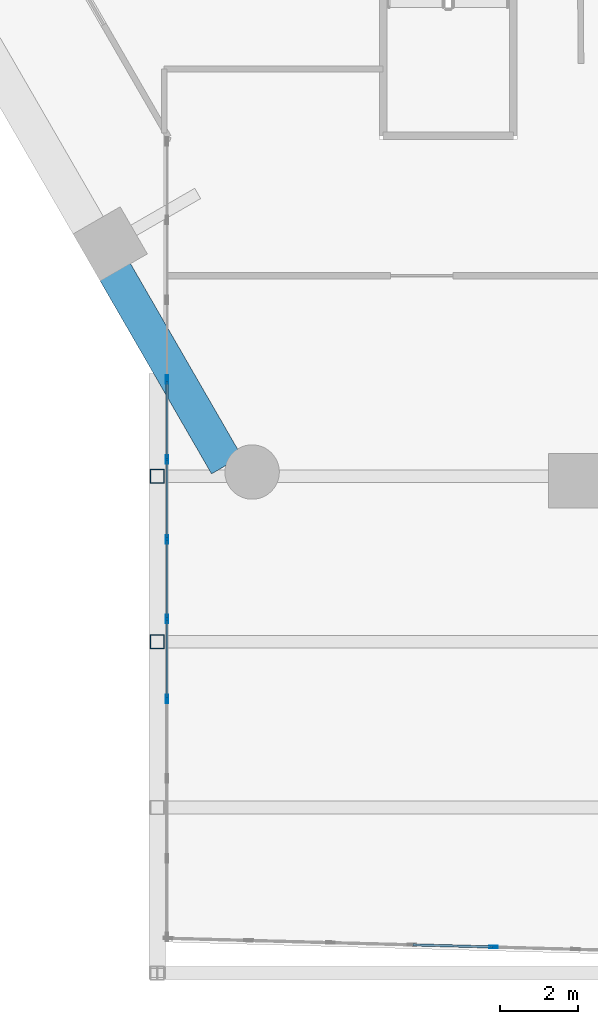
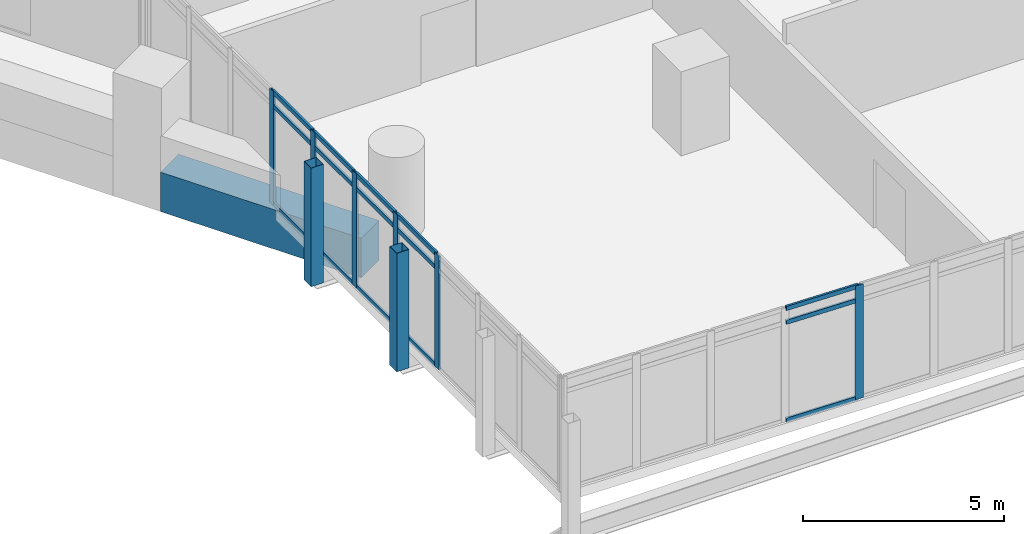
# One storey, part 4 of 38: 23 members, 1 beam, 2 elements without a shape of their own.
"""IFC4 building model written with IfcOpenShell, lengths in metres."""

from ifc_helpers import new_model, si_unit, direction, frame, origin, origin_2d, place, context, subcontext, project, spatial, rectangle, hollow_rectangle, extrude, material, material_profile, profile_set, type_object, element, aggregate, save


model = new_model("IFC4")

# Units and contexts
model_context = context("Model", 3, precision=1e-05, world=origin(), true_north=direction((0.0, 1.0)))
body_context = subcontext(model_context, "Body", "Model", "MODEL_VIEW")
ifc_project = project(units=[si_unit("LENGTHUNIT", "METRE"), si_unit("AREAUNIT", "SQUARE_METRE"), si_unit("VOLUMEUNIT", "CUBIC_METRE"), si_unit("PLANEANGLEUNIT", "RADIAN"), si_unit("MASSUNIT", "GRAM", prefix="KILO")], contexts=[model_context])

# Site, building, storey
site_placement = place(None, origin())
site = spatial("IfcSite", under=ifc_project, at=site_placement, CompositionType="ELEMENT")
building_placement = place(site_placement, origin())
building = spatial("IfcBuilding", under=site, at=building_placement, Name="Ostrander Bayou Hotel Tower", CompositionType="ELEMENT")
storey_placement = place(building_placement, frame((0.0, 0.0, 65.5)))
storey = spatial("IfcBuildingStorey", under=building, at=storey_placement, Name="L16", CompositionType="ELEMENT", Elevation=65.5)

# Curtain wall, members
ifc_material_1 = material(Name="Aluminium and clear glass", Category="aluminium")
curtain_wall_type = type_object("IfcCurtainWallType", Name="CW-BAR glazed wall", PredefinedType="NOTDEFINED", material=ifc_material_1)
curtain_wall_1_placement = place(storey_placement, origin())
curtain_wall_1 = element("IfcCurtainWall", 1, at=curtain_wall_1_placement, inside=storey, type_object=curtain_wall_type, Name="CW-BAR L16:SB1S:E", PredefinedType="NOTDEFINED")
ifc_material_2 = material(Name="Aluminium", Category="aluminium")
ifc_material_profile_1 = material_profile(ifc_material_2, hollow_rectangle(XDim=0.06005859375, YDim=0.219970703125, WallThickness=0.00390625, at=origin_2d()))
ifc_profile_set_1 = profile_set([ifc_material_profile_1], Name="Aluminium")
member_type_1 = type_object("IfcMemberType", Name="CW-BR mullion 60 x 220 mm", PredefinedType="MULLION", material=ifc_profile_set_1)
member_1_placement = place(storey_placement, frame((-14.712158203125, -17.677978515625, 0.0), z_axis=(0.0, 0.0, 1.0), x_axis=(1.0, 0.0, 0.0)))
member_1 = element("IfcMember", 2, at=member_1_placement, type_object=member_type_1, Name="CW-BAR mullion 4", PredefinedType="MULLION", context=body_context, shape_type="SweptSolid", body=[
    extrude(hollow_rectangle(XDim=0.06005859375, YDim=0.219970703125, WallThickness=0.00390625, at=origin_2d()), origin(), (0.0, 0.0, 1.0), 3.449951171875),
])
member_2_placement = place(storey_placement, frame((-14.712158203125, -19.7314453125, 0.0), z_axis=(0.0, 0.0, 1.0), x_axis=(1.0, 0.0, 0.0)))
member_2 = element("IfcMember", 3, at=member_2_placement, type_object=member_type_1, Name="CW-BAR mullion 5", PredefinedType="MULLION", context=body_context, shape_type="SweptSolid", body=[
    extrude(hollow_rectangle(XDim=0.06005859375, YDim=0.219970703125, WallThickness=0.00390625, at=origin_2d()), origin(), (0.0, 0.0, 1.0), 3.449951171875),
])
member_3_placement = place(storey_placement, frame((-14.712158203125, -21.784912109375, 0.0), z_axis=(0.0, 0.0, 1.0), x_axis=(1.0, 0.0, 0.0)))
member_3 = element("IfcMember", 4, at=member_3_placement, type_object=member_type_1, Name="CW-BAR mullion 6", PredefinedType="MULLION", context=body_context, shape_type="SweptSolid", body=[
    extrude(hollow_rectangle(XDim=0.06005859375, YDim=0.219970703125, WallThickness=0.00390625, at=origin_2d()), origin(), (0.0, 0.0, 1.0), 3.449951171875),
])
member_4_placement = place(storey_placement, frame((-14.712158203125, -23.83837890625, 0.0), z_axis=(0.0, 0.0, 1.0), x_axis=(1.0, 0.0, 0.0)))
member_4 = element("IfcMember", 5, at=member_4_placement, type_object=member_type_1, Name="CW-BAR mullion 7", PredefinedType="MULLION", context=body_context, shape_type="SweptSolid", body=[
    extrude(hollow_rectangle(XDim=0.06005859375, YDim=0.219970703125, WallThickness=0.00390625, at=origin_2d()), origin(), (0.0, 0.0, 1.0), 3.449951171875),
])
member_5_placement = place(storey_placement, frame((-14.712158203125, -25.8916015625, 0.0), z_axis=(0.0, 0.0, 1.0), x_axis=(1.0, 0.0, 0.0)))
member_5 = element("IfcMember", 6, at=member_5_placement, type_object=member_type_1, Name="CW-BAR mullion 8", PredefinedType="MULLION", context=body_context, shape_type="SweptSolid", body=[
    extrude(hollow_rectangle(XDim=0.06005859375, YDim=0.219970703125, WallThickness=0.00390625, at=origin_2d()), origin(), (0.0, 0.0, 1.0), 3.449951171875),
])

# Curtain wall, member
curtain_wall_2_placement = place(storey_placement, origin())
curtain_wall_2 = element("IfcCurtainWall", 7, at=curtain_wall_2_placement, inside=storey, type_object=curtain_wall_type, Name="CW-BAR L16:SB1S:T", PredefinedType="NOTDEFINED")
member_6_placement = place(storey_placement, frame((-6.30517578125, -32.279541015625, 0.0), z_axis=(0.0, 0.0, 1.0), x_axis=(0.027042484848, 0.999634285133, 0.0)))
member_6 = element("IfcMember", 8, at=member_6_placement, type_object=member_type_1, Name="CW-BAR mullion 5", PredefinedType="MULLION", context=body_context, shape_type="SweptSolid", body=[
    extrude(hollow_rectangle(XDim=0.06005859375, YDim=0.219970703125, WallThickness=0.00390625, at=origin_2d()), origin(), (0.0, 0.0, 1.0), 3.449951171875),
])

# Member
ifc_material_3 = material(Name="Aluminium", Category="aluminium")
ifc_material_profile_2 = material_profile(ifc_material_3, hollow_rectangle(XDim=0.06005859375, YDim=0.1298828125, WallThickness=0.00390625, at=origin_2d()))
ifc_profile_set_2 = profile_set([ifc_material_profile_2], Name="Aluminium")
member_type_2 = type_object("IfcMemberType", Name="CW-BR transom 60 x 130 mm", PredefinedType="USERDEFINED", material=ifc_profile_set_2)
member_7_placement = place(storey_placement, frame((-14.712158203125, -17.7080078125, 0.030029296875), z_axis=(0.0, -1.0, 0.0), x_axis=(1.0, 0.0, 0.0)))
member_7 = element("IfcMember", 9, at=member_7_placement, type_object=member_type_2, Name="CW-BAR transom 4.1", ObjectType="TRANSOM", PredefinedType="USERDEFINED", context=body_context, shape_type="SweptSolid", body=[
    extrude(hollow_rectangle(XDim=0.06005859375, YDim=0.1298828125, WallThickness=0.00390625, at=origin_2d()), origin(), (0.0, 0.0, 1.0), 1.993408203125),
])

member_8_placement = place(storey_placement, frame((-14.712158203125, -17.7080078125, 3.0), z_axis=(0.0, -1.0, 0.0), x_axis=(1.0, 0.0, 0.0)))
member_8 = element("IfcMember", 10, at=member_8_placement, type_object=member_type_2, Name="CW-BAR transom 4.2", ObjectType="TRANSOM", PredefinedType="USERDEFINED", context=body_context, shape_type="SweptSolid", body=[
    extrude(hollow_rectangle(XDim=0.06005859375, YDim=0.1298828125, WallThickness=0.00390625, at=origin_2d()), origin(), (0.0, 0.0, 1.0), 1.993408203125),
])

member_9_placement = place(storey_placement, frame((-14.712158203125, -17.7080078125, 3.419921875), z_axis=(0.0, -1.0, 0.0), x_axis=(1.0, 0.0, 0.0)))
member_9 = element("IfcMember", 11, at=member_9_placement, type_object=member_type_2, Name="CW-BAR transom 4.3", ObjectType="TRANSOM", PredefinedType="USERDEFINED", context=body_context, shape_type="SweptSolid", body=[
    extrude(hollow_rectangle(XDim=0.06005859375, YDim=0.1298828125, WallThickness=0.00390625, at=origin_2d()), origin(), (0.0, 0.0, 1.0), 1.993408203125),
])

member_10_placement = place(storey_placement, frame((-14.712158203125, -19.761474609375, 0.030029296875), z_axis=(0.0, -1.0, 0.0), x_axis=(1.0, 0.0, 0.0)))
member_10 = element("IfcMember", 12, at=member_10_placement, type_object=member_type_2, Name="CW-BAR transom 5.1", ObjectType="TRANSOM", PredefinedType="USERDEFINED", context=body_context, shape_type="SweptSolid", body=[
    extrude(hollow_rectangle(XDim=0.06005859375, YDim=0.1298828125, WallThickness=0.00390625, at=origin_2d()), origin(), (0.0, 0.0, 1.0), 1.993408203125),
])

member_11_placement = place(storey_placement, frame((-14.712158203125, -19.761474609375, 3.0), z_axis=(0.0, -1.0, 0.0), x_axis=(1.0, 0.0, 0.0)))
member_11 = element("IfcMember", 13, at=member_11_placement, type_object=member_type_2, Name="CW-BAR transom 5.2", ObjectType="TRANSOM", PredefinedType="USERDEFINED", context=body_context, shape_type="SweptSolid", body=[
    extrude(hollow_rectangle(XDim=0.06005859375, YDim=0.1298828125, WallThickness=0.00390625, at=origin_2d()), origin(), (0.0, 0.0, 1.0), 1.993408203125),
])

member_12_placement = place(storey_placement, frame((-14.712158203125, -19.761474609375, 3.419921875), z_axis=(0.0, -1.0, 0.0), x_axis=(1.0, 0.0, 0.0)))
member_12 = element("IfcMember", 14, at=member_12_placement, type_object=member_type_2, Name="CW-BAR transom 5.3", ObjectType="TRANSOM", PredefinedType="USERDEFINED", context=body_context, shape_type="SweptSolid", body=[
    extrude(hollow_rectangle(XDim=0.06005859375, YDim=0.1298828125, WallThickness=0.00390625, at=origin_2d()), origin(), (0.0, 0.0, 1.0), 1.993408203125),
])

member_13_placement = place(storey_placement, frame((-14.712158203125, -21.81494140625, 0.030029296875), z_axis=(0.0, -1.0, 0.0), x_axis=(1.0, 0.0, 0.0)))
member_13 = element("IfcMember", 15, at=member_13_placement, type_object=member_type_2, Name="CW-BAR transom 6.1", ObjectType="TRANSOM", PredefinedType="USERDEFINED", context=body_context, shape_type="SweptSolid", body=[
    extrude(hollow_rectangle(XDim=0.06005859375, YDim=0.1298828125, WallThickness=0.00390625, at=origin_2d()), origin(), (0.0, 0.0, 1.0), 1.993408203125),
])

member_14_placement = place(storey_placement, frame((-14.712158203125, -21.81494140625, 3.0), z_axis=(0.0, -1.0, 0.0), x_axis=(1.0, 0.0, 0.0)))
member_14 = element("IfcMember", 16, at=member_14_placement, type_object=member_type_2, Name="CW-BAR transom 6.2", ObjectType="TRANSOM", PredefinedType="USERDEFINED", context=body_context, shape_type="SweptSolid", body=[
    extrude(hollow_rectangle(XDim=0.06005859375, YDim=0.1298828125, WallThickness=0.00390625, at=origin_2d()), origin(), (0.0, 0.0, 1.0), 1.993408203125),
])

member_15_placement = place(storey_placement, frame((-14.712158203125, -21.81494140625, 3.419921875), z_axis=(0.0, -1.0, 0.0), x_axis=(1.0, 0.0, 0.0)))
member_15 = element("IfcMember", 17, at=member_15_placement, type_object=member_type_2, Name="CW-BAR transom 6.3", ObjectType="TRANSOM", PredefinedType="USERDEFINED", context=body_context, shape_type="SweptSolid", body=[
    extrude(hollow_rectangle(XDim=0.06005859375, YDim=0.1298828125, WallThickness=0.00390625, at=origin_2d()), origin(), (0.0, 0.0, 1.0), 1.993408203125),
])

member_16_placement = place(storey_placement, frame((-14.712158203125, -23.8681640625, 0.030029296875), z_axis=(0.0, -1.0, 0.0), x_axis=(1.0, 0.0, 0.0)))
member_16 = element("IfcMember", 18, at=member_16_placement, type_object=member_type_2, Name="CW-BAR transom 7.1", ObjectType="TRANSOM", PredefinedType="USERDEFINED", context=body_context, shape_type="SweptSolid", body=[
    extrude(hollow_rectangle(XDim=0.06005859375, YDim=0.1298828125, WallThickness=0.00390625, at=origin_2d()), origin(), (0.0, 0.0, 1.0), 1.99365234375),
])

member_17_placement = place(storey_placement, frame((-14.712158203125, -23.8681640625, 3.0), z_axis=(0.0, -1.0, 0.0), x_axis=(1.0, 0.0, 0.0)))
member_17 = element("IfcMember", 19, at=member_17_placement, type_object=member_type_2, Name="CW-BAR transom 7.2", ObjectType="TRANSOM", PredefinedType="USERDEFINED", context=body_context, shape_type="SweptSolid", body=[
    extrude(hollow_rectangle(XDim=0.06005859375, YDim=0.1298828125, WallThickness=0.00390625, at=origin_2d()), origin(), (0.0, 0.0, 1.0), 1.99365234375),
])

member_18_placement = place(storey_placement, frame((-14.712158203125, -23.8681640625, 3.419921875), z_axis=(0.0, -1.0, 0.0), x_axis=(1.0, 0.0, 0.0)))
member_18 = element("IfcMember", 20, at=member_18_placement, type_object=member_type_2, Name="CW-BAR transom 7.3", ObjectType="TRANSOM", PredefinedType="USERDEFINED", context=body_context, shape_type="SweptSolid", body=[
    extrude(hollow_rectangle(XDim=0.06005859375, YDim=0.1298828125, WallThickness=0.00390625, at=origin_2d()), origin(), (0.0, 0.0, 1.0), 1.99365234375),
])

aggregate(curtain_wall_1, [member_1, member_2, member_3, member_4, member_5, member_7, member_8, member_9, member_10, member_11, member_12, member_13, member_14, member_15, member_16, member_17, member_18])

member_19_placement = place(storey_placement, frame((-8.376953125, -32.223388671875, 0.030029296875), z_axis=(0.999635057116, -0.027013933147, 0.0), x_axis=(0.027013933147, 0.999635057116, 0.0)))
member_19 = element("IfcMember", 21, at=member_19_placement, type_object=member_type_2, Name="CW-BAR transom 4.1", ObjectType="TRANSOM", PredefinedType="USERDEFINED", context=body_context, shape_type="SweptSolid", body=[
    extrude(hollow_rectangle(XDim=0.06005859375, YDim=0.1298828125, WallThickness=0.00390625, at=origin_2d()), origin(), (0.0, 0.0, 1.0), 2.04248046875),
])

member_20_placement = place(storey_placement, frame((-8.376953125, -32.223388671875, 3.0), z_axis=(0.999635057116, -0.027013933147, 0.0), x_axis=(0.027013933147, 0.999635057116, 0.0)))
member_20 = element("IfcMember", 22, at=member_20_placement, type_object=member_type_2, Name="CW-BAR transom 4.2", ObjectType="TRANSOM", PredefinedType="USERDEFINED", context=body_context, shape_type="SweptSolid", body=[
    extrude(hollow_rectangle(XDim=0.06005859375, YDim=0.1298828125, WallThickness=0.00390625, at=origin_2d()), origin(), (0.0, 0.0, 1.0), 2.04248046875),
])

member_21_placement = place(storey_placement, frame((-8.376953125, -32.223388671875, 3.419921875), z_axis=(0.999635057116, -0.027013933147, 0.0), x_axis=(0.027013933147, 0.999635057116, 0.0)))
member_21 = element("IfcMember", 23, at=member_21_placement, type_object=member_type_2, Name="CW-BAR transom 4.3", ObjectType="TRANSOM", PredefinedType="USERDEFINED", context=body_context, shape_type="SweptSolid", body=[
    extrude(hollow_rectangle(XDim=0.06005859375, YDim=0.1298828125, WallThickness=0.00390625, at=origin_2d()), origin(), (0.0, 0.0, 1.0), 2.04248046875),
])

aggregate(curtain_wall_2, [member_6, member_19, member_20, member_21])

# Beam
ifc_material_4 = material(Name="Concrete f'c 70 MPa", Category="concrete")
ifc_material_profile_3 = material_profile(ifc_material_4, rectangle(XDim=0.89990234375, YDim=1.199951171875, at=origin_2d()))
ifc_profile_set_3 = profile_set([ifc_material_profile_3], Name="Concrete f'c 70 MPa")
beam_type = type_object("IfcBeamType", Name="SP1 spandrel beam 900 x 1200 mm f'c 70 MPa", PredefinedType="SPANDREL", material=ifc_profile_set_3)
beam_placement = place(storey_placement, frame((-16.056884765625, -14.888671875, -0.60009765625), z_axis=(0.500014818852, -0.866016847947, 0.0), x_axis=(0.866016847947, 0.500014818852, 0.0)))
element("IfcBeam", 24, at=beam_placement, inside=storey, type_object=beam_type, Name="SP1 L16 SW-3", PredefinedType="SPANDREL", context=body_context, shape_type="SweptSolid", body=[
    extrude(rectangle(XDim=0.89990234375, YDim=1.199951171875, at=origin_2d()), origin(), (0.0, 0.0, 1.0), 5.758544921875),
])

# Members
ifc_material_5 = material(Name="Steel ASTM A500 Gr C", Category="steel")
ifc_material_profile_4 = material_profile(ifc_material_5, hollow_rectangle(XDim=0.355712890625, YDim=0.355712890625, WallThickness=0.0087890625, at=origin_2d()))
ifc_profile_set_4 = profile_set([ifc_material_profile_4], Name="Steel ASTM A500 Gr C")
member_type_3 = type_object("IfcMemberType", Name="TH3 bar hanger HSS14x14x3/8", PredefinedType="POST", material=ifc_profile_set_4)
for number, where, z_axis, x_axis, name in (
    (25, (-14.965087890625, -20.162841796875, -0.771728515625), (0.0, 0.0, 1.0), (1.0, 0.0, 0.0), "TH3 SB1SA H1-1"),
    (26, (-14.965087890625, -24.42529296875, -0.771728515625), (0.0, 0.0, 1.0), (1.0, 0.0, 0.0), "TH3 SB1SA H2-1"),
):
    element("IfcMember", number, at=place(storey_placement, frame(where, z_axis=z_axis, x_axis=x_axis)), inside=storey, type_object=member_type_3, Name=name, PredefinedType="POST", context=body_context, shape_type="SweptSolid", body=[
        extrude(hollow_rectangle(XDim=0.355712890625, YDim=0.355712890625, WallThickness=0.0087890625, at=origin_2d()), origin(), (0.0, 0.0, 1.0), 3.599853515625),
    ])

save(model, "model.ifc")
